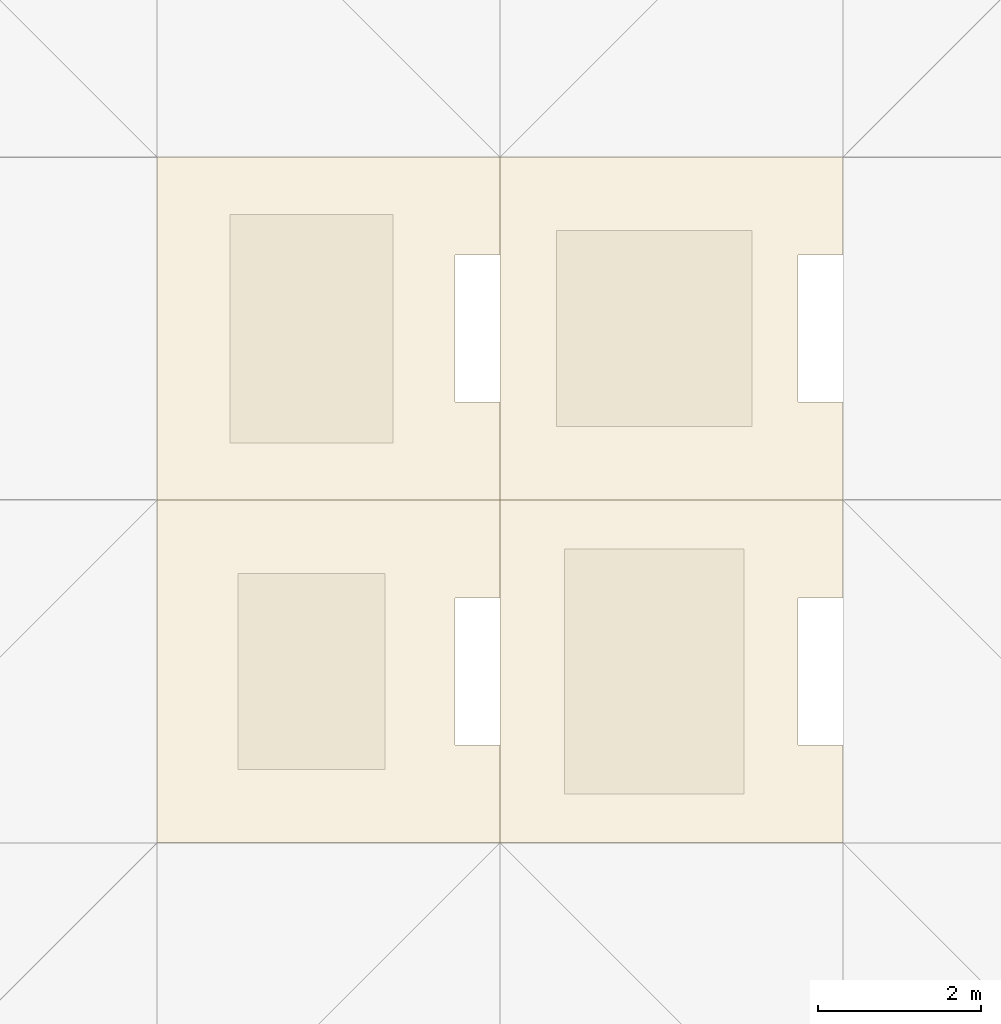
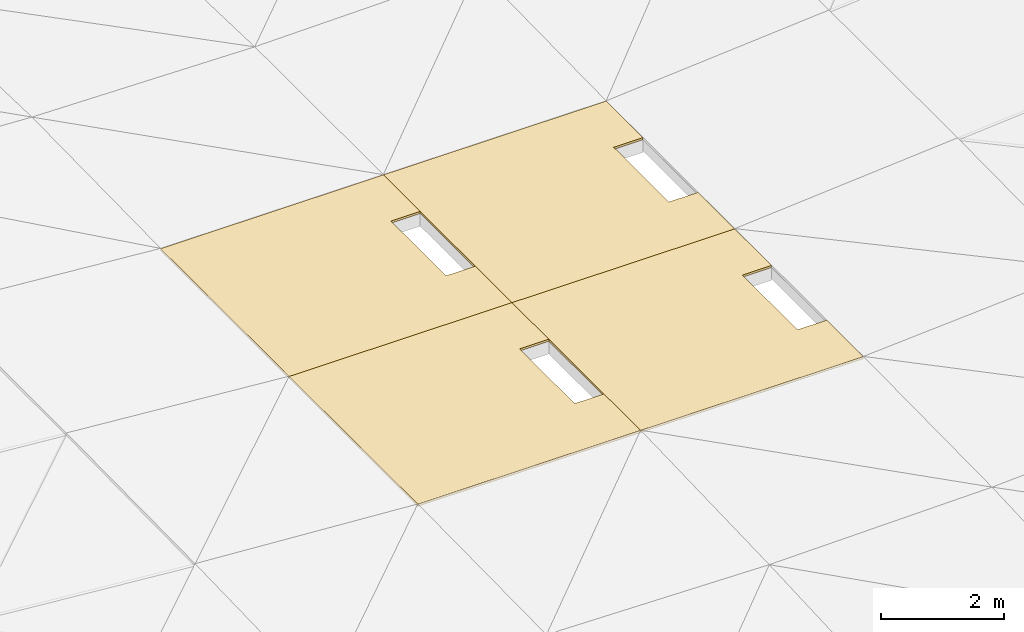
# One storey, part 25 of 31: 4 coverings.
"""IFC4 building model written with IfcOpenShell, lengths in metres."""

from ifc_helpers import new_model, si_unit, direction, frame, origin, place, context, subcontext, project, spatial, polyline, outline, extrude, material, layer, layer_set, type_object, element, save


model = new_model("IFC4")

# Units and contexts
model_context = context("Model", 3, precision=1e-05, world=origin(), true_north=direction((0.0, 1.0)))
body_context = subcontext(model_context, "Body", "Model", "MODEL_VIEW")
ifc_project = project(units=[si_unit("LENGTHUNIT", "METRE"), si_unit("AREAUNIT", "SQUARE_METRE"), si_unit("VOLUMEUNIT", "CUBIC_METRE"), si_unit("PLANEANGLEUNIT", "RADIAN"), si_unit("MASSUNIT", "GRAM", prefix="KILO")], contexts=[model_context])

# Site, building, storey
site_placement = place(None, origin())
site = spatial("IfcSite", under=ifc_project, at=site_placement, CompositionType="ELEMENT")
building_placement = place(site_placement, origin())
building = spatial("IfcBuilding", under=site, at=building_placement, Name="Cumbredor Promenade Congress Hotel", CompositionType="ELEMENT")
storey_placement = place(building_placement, frame((0.0, 0.0, 31.919921875)))
storey = spatial("IfcBuildingStorey", under=building, at=storey_placement, Name="L09", CompositionType="ELEMENT", Elevation=31.919921875)

# Coverings
ifc_material = material(Name="Standing-seam zinc-aluminium roofing", Category="aluminium")
ifc_layer = layer(ifc_material, 0.044921875, Name="Standing-seam zinc-aluminium roofing", Category="aluminium")
ifc_layer_set = layer_set([ifc_layer], Name="Standing-seam zinc-aluminium roofing")
covering_type = type_object("IfcCoveringType", Name="Standing Seam Patinated Bronze-Zinc Flashing 45mm", PredefinedType="ROOFING", material=ifc_layer_set)
covering_1_placement = place(storey_placement, frame((0.0, 0.0, 1.00537109375)))
element("IfcCovering", 1, at=covering_1_placement, inside=storey, type_object=covering_type, Name="Plenary Congress Hall Saddle Standing Seam Flashing 9.8", PredefinedType="ROOFING", context=body_context, shape_type="SweptSolid", body=[
    extrude(outline(polyline([(29.39990234375, 29.39990234375), (33.60009765625, 29.39990234375), (33.60009765625, 30.60009765625), (33.050048828125, 30.60009765625), (33.050048828125, 32.39990234375), (33.60009765625, 32.39990234375), (33.60009765625, 33.60009765625), (29.39990234375, 33.60009765625), (29.39990234375, 29.39990234375)])), origin(), (0.0, 0.0, 1.0), 0.044921875),
])
covering_2_placement = place(storey_placement, frame((0.0, 0.0, 1.00537109375)))
element("IfcCovering", 2, at=covering_2_placement, inside=storey, type_object=covering_type, Name="Plenary Congress Hall Saddle Standing Seam Flashing 9.9", PredefinedType="ROOFING", context=body_context, shape_type="SweptSolid", body=[
    extrude(outline(polyline([(29.39990234375, 33.60009765625), (33.60009765625, 33.60009765625), (33.60009765625, 34.800048828125), (33.050048828125, 34.800048828125), (33.050048828125, 36.60009765625), (33.60009765625, 36.60009765625), (33.60009765625, 37.800048828125), (29.39990234375, 37.800048828125), (29.39990234375, 33.60009765625)])), origin(), (0.0, 0.0, 1.0), 0.044921875),
])
covering_3_placement = place(storey_placement, frame((0.0, 0.0, 1.00537109375)))
element("IfcCovering", 3, at=covering_3_placement, inside=storey, type_object=covering_type, Name="Plenary Congress Hall Saddle Standing Seam Flashing 10.8", PredefinedType="ROOFING", context=body_context, shape_type="SweptSolid", body=[
    extrude(outline(polyline([(33.60009765625, 29.39990234375), (37.800048828125, 29.39990234375), (37.800048828125, 30.60009765625), (37.25, 30.60009765625), (37.25, 32.39990234375), (37.800048828125, 32.39990234375), (37.800048828125, 33.60009765625), (33.60009765625, 33.60009765625), (33.60009765625, 29.39990234375)])), origin(), (0.0, 0.0, 1.0), 0.044921875),
])
covering_4_placement = place(storey_placement, frame((0.0, 0.0, 1.00537109375)))
element("IfcCovering", 4, at=covering_4_placement, inside=storey, type_object=covering_type, Name="Plenary Congress Hall Saddle Standing Seam Flashing 10.9", PredefinedType="ROOFING", context=body_context, shape_type="SweptSolid", body=[
    extrude(outline(polyline([(33.60009765625, 33.60009765625), (37.800048828125, 33.60009765625), (37.800048828125, 34.800048828125), (37.25, 34.800048828125), (37.25, 36.60009765625), (37.800048828125, 36.60009765625), (37.800048828125, 37.800048828125), (33.60009765625, 37.800048828125), (33.60009765625, 33.60009765625)])), origin(), (0.0, 0.0, 1.0), 0.044921875),
])

save(model, "model.ifc")
